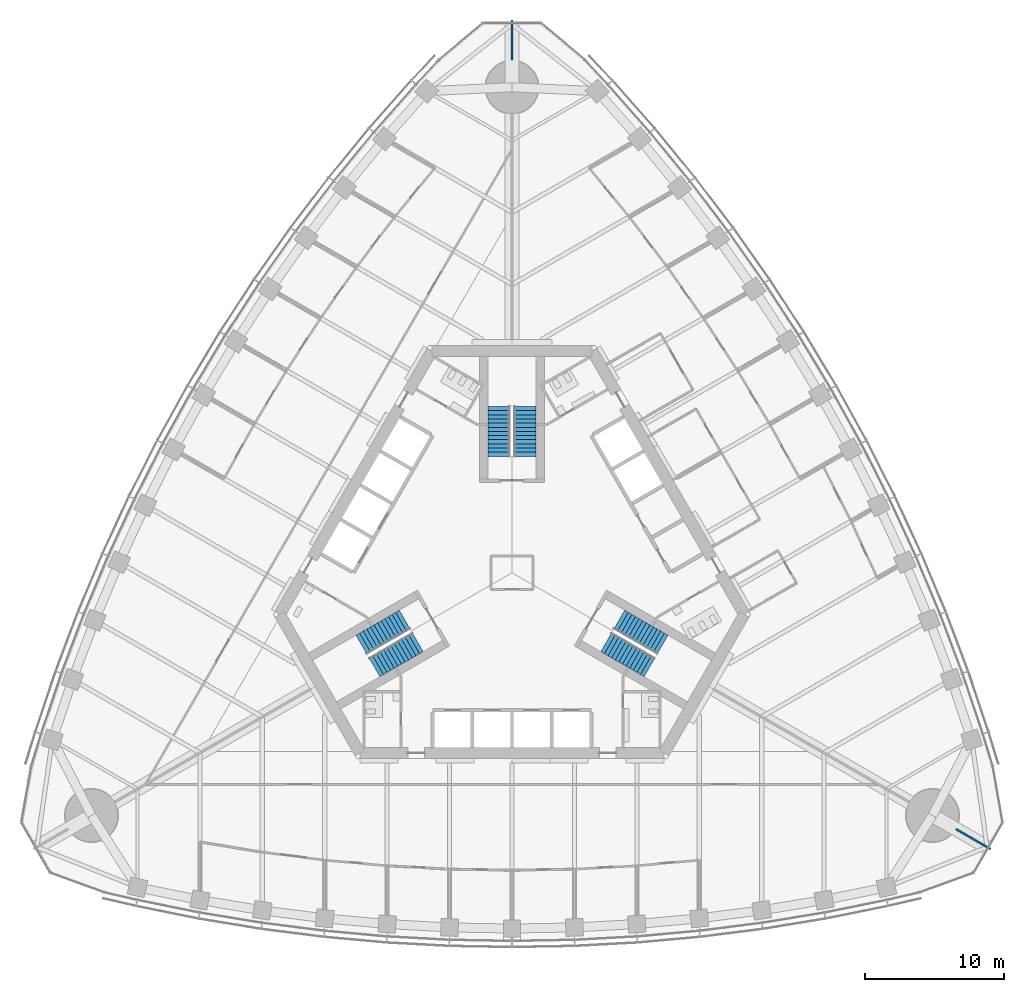
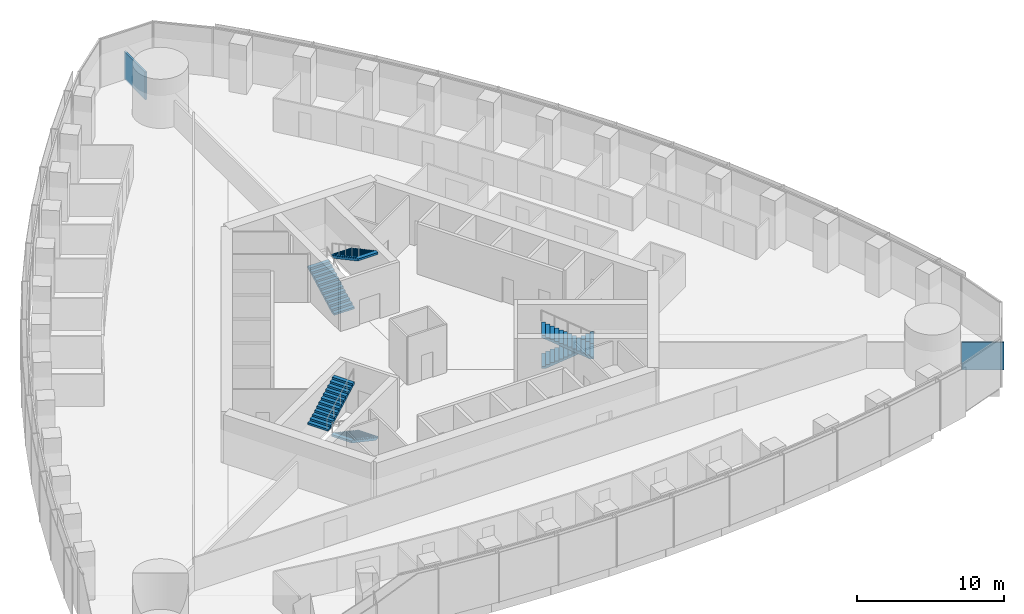
# One storey, part 16 of 21: 6 stair flights, 2 walls, 3 elements without a shape of their own.
"""IFC4 building model written with IfcOpenShell, lengths in metres."""

from ifc_helpers import new_model, si_unit, direction, frame, frame_2d, origin, place, context, subcontext, project, spatial, polyline, rectangle, outline, extrude, material, layer, layer_set, type_object, element, aggregate, save


model = new_model("IFC4")

# Units and contexts
model_context = context("Model", 3, precision=1e-05, world=origin(), true_north=direction((0.0, 1.0)))
body_context = subcontext(model_context, "Body", "Model", "MODEL_VIEW")
ifc_project = project(units=[si_unit("LENGTHUNIT", "METRE"), si_unit("AREAUNIT", "SQUARE_METRE"), si_unit("VOLUMEUNIT", "CUBIC_METRE"), si_unit("PLANEANGLEUNIT", "RADIAN"), si_unit("MASSUNIT", "GRAM", prefix="KILO")], contexts=[model_context])

# Site, building, storey
site_placement = place(None, origin())
site = spatial("IfcSite", under=ifc_project, at=site_placement, CompositionType="ELEMENT")
building_placement = place(site_placement, origin())
building = spatial("IfcBuilding", under=site, at=building_placement, Name="Trefoil Bronze Tower", CompositionType="ELEMENT")
storey_placement = place(building_placement, frame((0.0, 0.0, 153.5)))
storey = spatial("IfcBuildingStorey", under=building, at=storey_placement, Name="L35", CompositionType="ELEMENT", Elevation=153.5)

# Walls
ifc_material_1 = material(Name="Gypsum board on steel studs", Category="steel")
ifc_layer = layer(ifc_material_1, 0.14990234375)
ifc_layer_set = layer_set([ifc_layer], Name="Party wall 150")
wall_type = type_object("IfcWallType", Name="Party wall 150", PredefinedType="PARTITIONING", material=ifc_layer_set)
wall_1_placement = place(storey_placement, frame((31.999755859375, -18.47509765625, 0.0), z_axis=(0.0, 0.0, 1.0), x_axis=(0.866042548026, -0.499970304126, 0.0)))
element("IfcWall", 1, at=wall_1_placement, inside=storey, type_object=wall_type, Name="Party wall K1 L35", PredefinedType="PARTITIONING", context=body_context, shape_type="SweptSolid", body=[
    extrude(rectangle(XDim=2.899169921875, YDim=0.14990234375, at=frame_2d((1.44970703125, 0.0))), origin(), (0.0, 0.0, 1.0), 2.300048828125),
])
wall_2_placement = place(storey_placement, frame((0.0, 36.949951171875, 0.0), z_axis=(0.0, 0.0, 1.0), x_axis=(0.0, 1.0, 0.0)))
element("IfcWall", 2, at=wall_2_placement, inside=storey, type_object=wall_type, Name="Party wall K2 L35", PredefinedType="PARTITIONING", context=body_context, shape_type="SweptSolid", body=[
    extrude(rectangle(XDim=2.8994140625, YDim=0.14990234375, at=frame_2d((1.44970703125, 0.0))), origin(), (0.0, 0.0, 1.0), 2.300048828125),
])

# Stair, stair flights
ifc_material_2 = material(Name="Precast concrete B80", Category="concrete")
stair_type = type_object("IfcStairType", Name="Exit stair 26 risers", PredefinedType="HALF_TURN_STAIR", material=ifc_material_2)
stair_1_placement = place(storey_placement, origin())
stair_1 = element("IfcStair", 3, at=stair_1_placement, inside=storey, type_object=stair_type, Name="Stair ST1 L35", PredefinedType="HALF_TURN_STAIR")
ifc_material_3 = material(Name="Precast concrete B80", Category="concrete")
stair_flight_type = type_object("IfcStairFlightType", Name="Stair flight 1600", PredefinedType="STRAIGHT", material=ifc_material_3)
stair_flight_1_placement = place(storey_placement, frame((7.728515625, -3.39404296875, 0.0), z_axis=(0.0, 0.0, 1.0), x_axis=(0.866025403784, -0.5, 0.0)))
stair_flight_1 = element("IfcStairFlight", 4, at=stair_flight_1_placement, type_object=stair_flight_type, Name="ST1 flight 1", NumberOfRisers=13, NumberOfTreads=12, PredefinedType="STRAIGHT", RiserHeight=0.161538462, TreadLength=0.3, context=body_context, shape_type="SweptSolid", body=[
    extrude(outline(polyline([(0.0, 0.0), (0.0, 0.16162109375), (0.300048828125, 0.16162109375), (0.300048828125, 0.322998046875), (0.60009765625, 0.322998046875), (0.60009765625, 0.484619140625), (0.89990234375, 0.484619140625), (0.89990234375, 0.646240234375), (1.199951171875, 0.646240234375), (1.199951171875, 0.8076171875), (1.5, 0.8076171875), (1.5, 0.96923828125), (1.800048828125, 0.96923828125), (1.800048828125, 1.130859375), (2.10009765625, 1.130859375), (2.10009765625, 1.292236328125), (2.39990234375, 1.292236328125), (2.39990234375, 1.453857421875), (2.699951171875, 1.453857421875), (2.699951171875, 1.615478515625), (3.0, 1.615478515625), (3.0, 1.77685546875), (3.300048828125, 1.77685546875), (3.300048828125, 1.9384765625), (3.60009765625, 1.9384765625), (3.60009765625, 2.10009765625), (3.60009765625, 1.768310546875), (0.316162109375, 0.0), (0.0, 0.0)])), frame((0.0, 0.800048828125, 0.0), z_axis=(0.0, -1.0, 0.0), x_axis=(1.0, 0.0, 0.0)), (0.0, 0.0, 1.0), 1.60009765625),
])
stair_flight_2_placement = place(storey_placement, frame((9.921142578125, -6.796142578125, 2.10009765625), z_axis=(0.0, 0.0, 1.0), x_axis=(-0.866025403784, 0.5, 0.0)))
stair_flight_2 = element("IfcStairFlight", 5, at=stair_flight_2_placement, type_object=stair_flight_type, Name="ST1 flight 2", NumberOfRisers=13, NumberOfTreads=12, PredefinedType="STRAIGHT", RiserHeight=0.161538462, TreadLength=0.3, context=body_context, shape_type="SweptSolid", body=[
    extrude(outline(polyline([(0.0, 0.0), (0.0, 0.16162109375), (0.300048828125, 0.16162109375), (0.300048828125, 0.322998046875), (0.60009765625, 0.322998046875), (0.60009765625, 0.484619140625), (0.89990234375, 0.484619140625), (0.89990234375, 0.646240234375), (1.199951171875, 0.646240234375), (1.199951171875, 0.8076171875), (1.5, 0.8076171875), (1.5, 0.96923828125), (1.800048828125, 0.96923828125), (1.800048828125, 1.130859375), (2.10009765625, 1.130859375), (2.10009765625, 1.292236328125), (2.39990234375, 1.292236328125), (2.39990234375, 1.453857421875), (2.699951171875, 1.453857421875), (2.699951171875, 1.615478515625), (3.0, 1.615478515625), (3.0, 1.77685546875), (3.300048828125, 1.77685546875), (3.300048828125, 1.9384765625), (3.60009765625, 1.9384765625), (3.60009765625, 2.10009765625), (3.60009765625, 1.768310546875), (0.316162109375, 0.0), (0.0, 0.0)])), frame((0.0, 0.800048828125, 0.0), z_axis=(0.0, -1.0, 0.0), x_axis=(1.0, 0.0, 0.0)), (0.0, 0.0, 1.0), 1.60009765625),
])
aggregate(stair_1, [stair_flight_1, stair_flight_2])

stair_2_placement = place(storey_placement, origin())
stair_2 = element("IfcStair", 6, at=stair_2_placement, inside=storey, type_object=stair_type, Name="Stair ST2 L35", PredefinedType="HALF_TURN_STAIR")
stair_flight_3_placement = place(storey_placement, frame((-0.925048828125, 8.389892578125, 0.0), z_axis=(0.0, 0.0, 1.0), x_axis=(0.0, 1.0, 0.0)))
stair_flight_3 = element("IfcStairFlight", 7, at=stair_flight_3_placement, type_object=stair_flight_type, Name="ST2 flight 1", NumberOfRisers=13, NumberOfTreads=12, PredefinedType="STRAIGHT", RiserHeight=0.161538462, TreadLength=0.3, context=body_context, shape_type="SweptSolid", body=[
    extrude(outline(polyline([(0.0, 0.0), (0.0, 0.16162109375), (0.300048828125, 0.16162109375), (0.300048828125, 0.322998046875), (0.60009765625, 0.322998046875), (0.60009765625, 0.484619140625), (0.89990234375, 0.484619140625), (0.89990234375, 0.646240234375), (1.199951171875, 0.646240234375), (1.199951171875, 0.8076171875), (1.5, 0.8076171875), (1.5, 0.96923828125), (1.800048828125, 0.96923828125), (1.800048828125, 1.130859375), (2.10009765625, 1.130859375), (2.10009765625, 1.292236328125), (2.39990234375, 1.292236328125), (2.39990234375, 1.453857421875), (2.699951171875, 1.453857421875), (2.699951171875, 1.615478515625), (3.0, 1.615478515625), (3.0, 1.77685546875), (3.300048828125, 1.77685546875), (3.300048828125, 1.9384765625), (3.60009765625, 1.9384765625), (3.60009765625, 2.10009765625), (3.60009765625, 1.768310546875), (0.316162109375, 0.0), (0.0, 0.0)])), frame((0.0, 0.800048828125, 0.0), z_axis=(0.0, -1.0, 0.0), x_axis=(1.0, 0.0, 0.0)), (0.0, 0.0, 1.0), 1.60009765625),
])
stair_flight_4_placement = place(storey_placement, frame((0.925048828125, 11.989990234375, 2.10009765625), z_axis=(0.0, 0.0, 1.0), x_axis=(0.0, -1.0, 0.0)))
stair_flight_4 = element("IfcStairFlight", 8, at=stair_flight_4_placement, type_object=stair_flight_type, Name="ST2 flight 2", NumberOfRisers=13, NumberOfTreads=12, PredefinedType="STRAIGHT", RiserHeight=0.161538462, TreadLength=0.3, context=body_context, shape_type="SweptSolid", body=[
    extrude(outline(polyline([(0.0, 0.0), (0.0, 0.16162109375), (0.300048828125, 0.16162109375), (0.300048828125, 0.322998046875), (0.60009765625, 0.322998046875), (0.60009765625, 0.484619140625), (0.89990234375, 0.484619140625), (0.89990234375, 0.646240234375), (1.199951171875, 0.646240234375), (1.199951171875, 0.8076171875), (1.5, 0.8076171875), (1.5, 0.96923828125), (1.800048828125, 0.96923828125), (1.800048828125, 1.130859375), (2.10009765625, 1.130859375), (2.10009765625, 1.292236328125), (2.39990234375, 1.292236328125), (2.39990234375, 1.453857421875), (2.699951171875, 1.453857421875), (2.699951171875, 1.615478515625), (3.0, 1.615478515625), (3.0, 1.77685546875), (3.300048828125, 1.77685546875), (3.300048828125, 1.9384765625), (3.60009765625, 1.9384765625), (3.60009765625, 2.10009765625), (3.60009765625, 1.768310546875), (0.316162109375, 0.0), (0.0, 0.0)])), frame((0.0, 0.800048828125, 0.0), z_axis=(0.0, -1.0, 0.0), x_axis=(1.0, 0.0, 0.0)), (0.0, 0.0, 1.0), 1.60009765625),
])
aggregate(stair_2, [stair_flight_3, stair_flight_4])

stair_3_placement = place(storey_placement, origin())
stair_3 = element("IfcStair", 9, at=stair_3_placement, inside=storey, type_object=stair_type, Name="Stair ST3 L35", PredefinedType="HALF_TURN_STAIR")
stair_flight_5_placement = place(storey_placement, frame((-6.803466796875, -4.99609375, 0.0), z_axis=(0.0, 0.0, 1.0), x_axis=(-0.866025403784, -0.5, 0.0)))
stair_flight_5 = element("IfcStairFlight", 10, at=stair_flight_5_placement, type_object=stair_flight_type, Name="ST3 flight 1", NumberOfRisers=13, NumberOfTreads=12, PredefinedType="STRAIGHT", RiserHeight=0.161538462, TreadLength=0.3, context=body_context, shape_type="SweptSolid", body=[
    extrude(outline(polyline([(0.0, 0.0), (0.0, 0.16162109375), (0.300048828125, 0.16162109375), (0.300048828125, 0.322998046875), (0.60009765625, 0.322998046875), (0.60009765625, 0.484619140625), (0.89990234375, 0.484619140625), (0.89990234375, 0.646240234375), (1.199951171875, 0.646240234375), (1.199951171875, 0.8076171875), (1.5, 0.8076171875), (1.5, 0.96923828125), (1.800048828125, 0.96923828125), (1.800048828125, 1.130859375), (2.10009765625, 1.130859375), (2.10009765625, 1.292236328125), (2.39990234375, 1.292236328125), (2.39990234375, 1.453857421875), (2.699951171875, 1.453857421875), (2.699951171875, 1.615478515625), (3.0, 1.615478515625), (3.0, 1.77685546875), (3.300048828125, 1.77685546875), (3.300048828125, 1.9384765625), (3.60009765625, 1.9384765625), (3.60009765625, 2.10009765625), (3.60009765625, 1.768310546875), (0.316162109375, 0.0), (0.0, 0.0)])), frame((0.0, 0.800048828125, 0.0), z_axis=(0.0, -1.0, 0.0), x_axis=(1.0, 0.0, 0.0)), (0.0, 0.0, 1.0), 1.60009765625),
])
stair_flight_6_placement = place(storey_placement, frame((-10.84619140625, -5.19384765625, 2.10009765625), z_axis=(0.0, 0.0, 1.0), x_axis=(0.866025403784, 0.5, 0.0)))
stair_flight_6 = element("IfcStairFlight", 11, at=stair_flight_6_placement, type_object=stair_flight_type, Name="ST3 flight 2", NumberOfRisers=13, NumberOfTreads=12, PredefinedType="STRAIGHT", RiserHeight=0.161538462, TreadLength=0.3, context=body_context, shape_type="SweptSolid", body=[
    extrude(outline(polyline([(0.0, 0.0), (0.0, 0.16162109375), (0.300048828125, 0.16162109375), (0.300048828125, 0.322998046875), (0.60009765625, 0.322998046875), (0.60009765625, 0.484619140625), (0.89990234375, 0.484619140625), (0.89990234375, 0.646240234375), (1.199951171875, 0.646240234375), (1.199951171875, 0.8076171875), (1.5, 0.8076171875), (1.5, 0.96923828125), (1.800048828125, 0.96923828125), (1.800048828125, 1.130859375), (2.10009765625, 1.130859375), (2.10009765625, 1.292236328125), (2.39990234375, 1.292236328125), (2.39990234375, 1.453857421875), (2.699951171875, 1.453857421875), (2.699951171875, 1.615478515625), (3.0, 1.615478515625), (3.0, 1.77685546875), (3.300048828125, 1.77685546875), (3.300048828125, 1.9384765625), (3.60009765625, 1.9384765625), (3.60009765625, 2.10009765625), (3.60009765625, 1.768310546875), (0.316162109375, 0.0), (0.0, 0.0)])), frame((0.0, 0.800048828125, 0.0), z_axis=(0.0, -1.0, 0.0), x_axis=(1.0, 0.0, 0.0)), (0.0, 0.0, 1.0), 1.60009765625),
])
aggregate(stair_3, [stair_flight_5, stair_flight_6])

save(model, "model.ifc")
